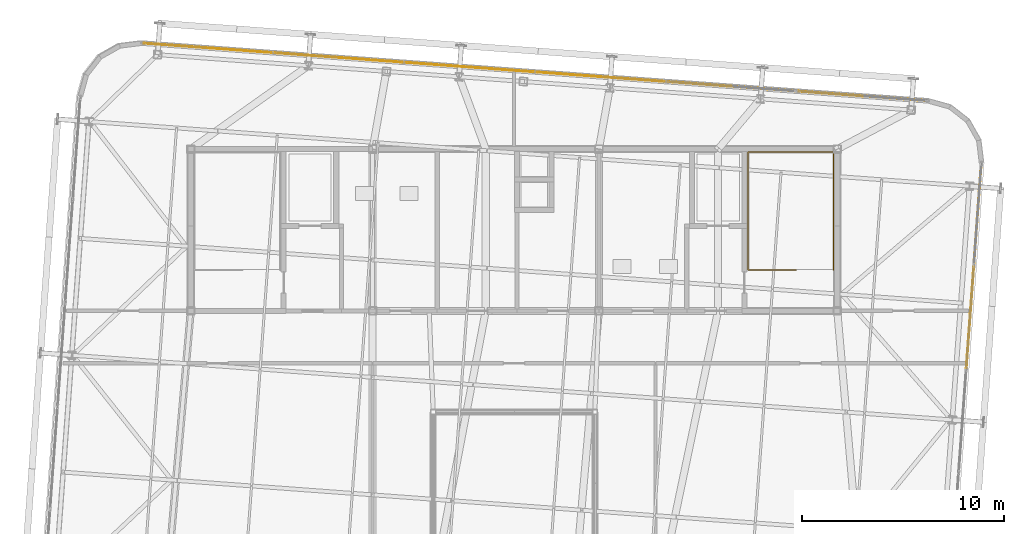
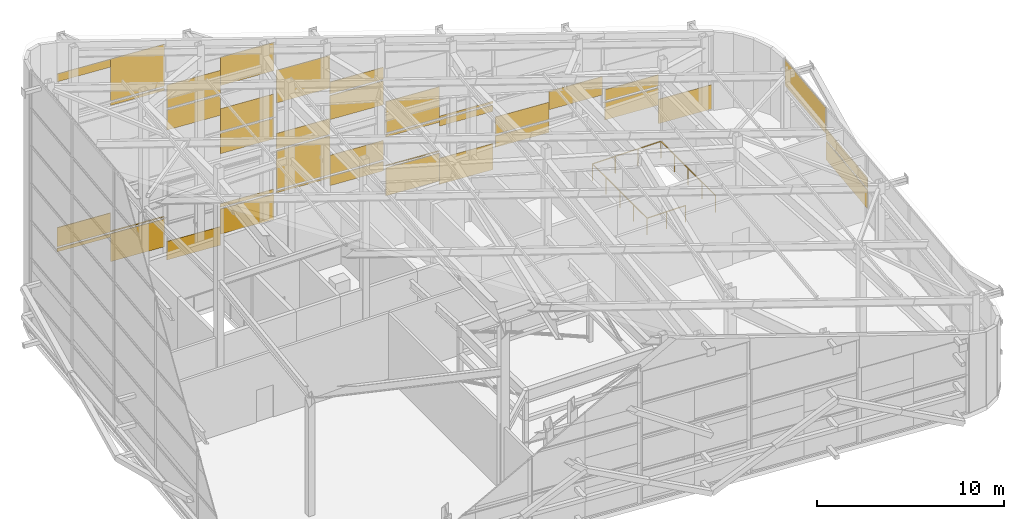
# One storey, part 56 of 56: 39 coverings, 1 railing.
"""IFC4 building model written with IfcOpenShell, lengths in metres."""

from ifc_helpers import new_model, si_unit, direction, frame, origin, origin_2d, place, context, subcontext, project, spatial, rectangle, extrude, source, transform, mapped, material, layer, layer_set, type_object, element, save


model = new_model("IFC4")

# Units and contexts
model_context = context("Model", 3, precision=1e-05, world=origin(), true_north=direction((0.0, 1.0)))
body_context = subcontext(model_context, "Body", "Model", "MODEL_VIEW")
ifc_project = project(units=[si_unit("LENGTHUNIT", "METRE"), si_unit("AREAUNIT", "SQUARE_METRE"), si_unit("VOLUMEUNIT", "CUBIC_METRE"), si_unit("PLANEANGLEUNIT", "RADIAN"), si_unit("MASSUNIT", "GRAM", prefix="KILO")], contexts=[model_context])

# Site, building, storey
site_placement = place(None, origin())
site = spatial("IfcSite", under=ifc_project, at=site_placement, CompositionType="ELEMENT")
building_placement = place(site_placement, origin())
building = spatial("IfcBuilding", under=site, at=building_placement, Name="Taldren Reach Tower", CompositionType="ELEMENT")
storey_placement = place(building_placement, frame((0.0, 0.0, 253.050048828125)))
storey = spatial("IfcBuildingStorey", under=building, at=storey_placement, Name="L77", CompositionType="ELEMENT", Elevation=253.050048828125)

# Railing
ifc_material_1 = material(Name="Steel Gr 350 (C350L0)", Category="steel")
ifc_layer_1 = layer(ifc_material_1, 0.050048828125)
ifc_layer_set_1 = layer_set([ifc_layer_1], Name="Steel Gr 350 (C350L0)")
railing_type = type_object("IfcRailingType", Name="RL-STAIR-GR", PredefinedType="GUARDRAIL", material=ifc_layer_set_1)
railing_placement = place(storey_placement, frame((48.969970703125, 26.010009765625, 0.0)))
element("IfcRailing", 1, at=railing_placement, inside=storey, type_object=railing_type, Name="Top-landing stairwell perimeter guardrail ST2-L77", PredefinedType="GUARDRAIL", context=body_context, shape_type="SweptSolid", body=[
    extrude(rectangle(XDim=0.047852, YDim=0.047852, at=origin_2d()), frame((0.0, 0.0, 1.09619140625), z_axis=(-1.0, 0.0, 0.0), x_axis=(0.0, -1.0, 0.0)), (0.0, 0.0, 1.0), 2.3798828125),
    extrude(rectangle(XDim=0.047852, YDim=0.047852, at=origin_2d()), frame((-2.3798828125, 0.0, 1.09619140625), z_axis=(0.0, 1.0, 0.0), x_axis=(-1.0, 0.0, 0.0)), (0.0, 0.0, 1.0), 5.840087890625),
    extrude(rectangle(XDim=0.047852, YDim=0.047852, at=origin_2d()), frame((-2.3798828125, 5.840087890625, 1.09619140625), z_axis=(1.0, 0.0, 0.0), x_axis=(0.0, 1.0, 0.0)), (0.0, 0.0, 1.0), 4.219970703125),
    extrude(rectangle(XDim=0.047852, YDim=0.047852, at=origin_2d()), frame((1.840087890625, 5.840087890625, 1.09619140625), z_axis=(0.0, -1.0, 0.0), x_axis=(1.0, 0.0, 0.0)), (0.0, 0.0, 1.0), 5.840087890625),
    extrude(rectangle(XDim=0.041992, YDim=0.041992, at=origin_2d()), origin(), (0.0, 0.0, 1.0), 1.072021484375),
    extrude(rectangle(XDim=0.041992, YDim=0.041992, at=origin_2d()), frame((-1.18994140625, 0.0, 0.0)), (0.0, 0.0, 1.0), 1.072021484375),
    extrude(rectangle(XDim=0.041992, YDim=0.041992, at=origin_2d()), frame((-2.3798828125, 0.0, 0.0)), (0.0, 0.0, 1.0), 1.072021484375),
    extrude(rectangle(XDim=0.041992, YDim=0.041992, at=origin_2d()), frame((-2.3798828125, 1.4599609375, 0.0)), (0.0, 0.0, 1.0), 1.072021484375),
    extrude(rectangle(XDim=0.041992, YDim=0.041992, at=origin_2d()), frame((-2.3798828125, 2.919921875, 0.0)), (0.0, 0.0, 1.0), 1.072021484375),
    extrude(rectangle(XDim=0.041992, YDim=0.041992, at=origin_2d()), frame((-2.3798828125, 4.380126953125, 0.0)), (0.0, 0.0, 1.0), 1.072021484375),
    extrude(rectangle(XDim=0.041992, YDim=0.041992, at=origin_2d()), frame((-2.3798828125, 5.840087890625, 0.0)), (0.0, 0.0, 1.0), 1.072021484375),
    extrude(rectangle(XDim=0.041992, YDim=0.041992, at=origin_2d()), frame((-0.97314453125, 5.840087890625, 0.0)), (0.0, 0.0, 1.0), 1.072021484375),
    extrude(rectangle(XDim=0.041992, YDim=0.041992, at=origin_2d()), frame((0.433349609375, 5.840087890625, 0.0)), (0.0, 0.0, 1.0), 1.072021484375),
    extrude(rectangle(XDim=0.041992, YDim=0.041992, at=origin_2d()), frame((1.840087890625, 5.840087890625, 0.0)), (0.0, 0.0, 1.0), 1.072021484375),
    extrude(rectangle(XDim=0.041992, YDim=0.041992, at=origin_2d()), frame((1.840087890625, 4.380126953125, 0.0)), (0.0, 0.0, 1.0), 1.072021484375),
    extrude(rectangle(XDim=0.041992, YDim=0.041992, at=origin_2d()), frame((1.840087890625, 2.919921875, 0.0)), (0.0, 0.0, 1.0), 1.072021484375),
    extrude(rectangle(XDim=0.041992, YDim=0.041992, at=origin_2d()), frame((1.840087890625, 1.4599609375, 0.0)), (0.0, 0.0, 1.0), 1.072021484375),
    extrude(rectangle(XDim=0.041992, YDim=0.041992, at=origin_2d()), frame((1.840087890625, 0.0, 0.0)), (0.0, 0.0, 1.0), 1.072021484375),
])

# Coverings
ifc_material_2 = material(Name="Pale Champagne Fluoropolymer Aluminium Spandrel Cladding", Category="aluminium")
ifc_layer_2 = layer(ifc_material_2, 0.0439453125)
ifc_layer_set_2 = layer_set([ifc_layer_2], Name="Pale Champagne Fluoropolymer Aluminium Spandrel Cladding")
covering_type = type_object("IfcCoveringType", Name="CV-CLAD-044", PredefinedType="CLADDING", material=ifc_layer_set_2)
shared_shape_1 = source(origin(), body_context, "Body", "SweptSolid", [
    extrude(rectangle(XDim=5.044921875, YDim=0.0439453125, at=origin_2d()), origin(), (0.0, 0.0, 1.0), 1.2021484375),
])
covering_1_placement = place(storey_placement, frame((57.574951171875, 23.668701171875, 0.890380859375), z_axis=(0.0, 0.0, 1.0), x_axis=(0.073238282558, 0.997314470951, 0.0)))
element("IfcCovering", 2, at=covering_1_placement, inside=storey, type_object=covering_type, Name="Diagrid closure cladding strip CW-8 panel 4.1 1", PredefinedType="CLADDING", context=body_context, shape_type="MappedRepresentation", body=[
    mapped(shared_shape_1, transform((0.0, 0.0, 0.0), scale=1.0)),
])
shared_shape_2 = source(origin(), body_context, "Body", "SweptSolid", [
    extrude(rectangle(XDim=5.007568359375, YDim=0.0439453125, at=origin_2d()), origin(), (0.0, 0.0, 1.0), 1.686279296875),
])
covering_2_placement = place(storey_placement, frame((57.948486328125, 28.756103515625, 2.55859375), z_axis=(0.0, 0.0, 1.0), x_axis=(0.073238282558, 0.997314470951, 0.0)))
element("IfcCovering", 3, at=covering_2_placement, inside=storey, type_object=covering_type, Name="Diagrid closure cladding strip CW-8 panel 5.1 1", PredefinedType="CLADDING", context=body_context, shape_type="MappedRepresentation", body=[
    mapped(shared_shape_2, transform((0.0, 0.0, 0.0), scale=1.0)),
])
shared_shape_3 = source(origin(), body_context, "Body", "SweptSolid", [
    extrude(rectangle(XDim=5.044921875, YDim=0.0439453125, at=origin_2d()), origin(), (0.0, 0.0, 1.0), 0.673828125),
])
covering_3_placement = place(storey_placement, frame((57.574951171875, 23.668701171875, 2.21240234375), z_axis=(0.0, 0.0, 1.0), x_axis=(0.073238282558, 0.997314470951, 0.0)))
element("IfcCovering", 4, at=covering_3_placement, inside=storey, type_object=covering_type, Name="Diagrid closure cladding strip CW-8 panel 4.1 1", PredefinedType="CLADDING", context=body_context, shape_type="MappedRepresentation", body=[
    mapped(shared_shape_3, transform((0.0, 0.0, 0.0), scale=1.0)),
])
shared_shape_4 = source(origin(), body_context, "Body", "SweptSolid", [
    extrude(rectangle(XDim=3.175048828125, YDim=0.0439453125, at=origin_2d()), origin(), (0.0, 0.0, 1.0), 0.21337890625),
])
covering_4_placement = place(storey_placement, frame((18.25732421875, 37.124267578125, 2.574951171875), z_axis=(0.0, 0.0, 1.0), x_axis=(0.997314454527, -0.073238506213, 0.0)))
element("IfcCovering", 5, at=covering_4_placement, inside=storey, type_object=covering_type, Name="Diagrid closure cladding strip CW-8 panel 1.1 1", PredefinedType="CLADDING", context=body_context, shape_type="MappedRepresentation", body=[
    mapped(shared_shape_4, transform((0.0, 0.0, 0.0), scale=1.0)),
])
shared_shape_5 = source(origin(), body_context, "Body", "SweptSolid", [
    extrude(rectangle(XDim=3.175048828125, YDim=0.0439453125, at=origin_2d()), origin(), (0.0, 0.0, 1.0), 1.81787109375),
])
covering_5_placement = place(storey_placement, frame((21.423828125, 36.891845703125, 0.970458984375), z_axis=(0.0, 0.0, 1.0), x_axis=(0.997314454527, -0.073238506213, 0.0)))
element("IfcCovering", 6, at=covering_5_placement, inside=storey, type_object=covering_type, Name="Diagrid closure cladding strip CW-8 panel 1.1 2", PredefinedType="CLADDING", context=body_context, shape_type="MappedRepresentation", body=[
    mapped(shared_shape_5, transform((0.0, 0.0, 0.0), scale=1.0)),
])
shared_shape_6 = source(origin(), body_context, "Body", "SweptSolid", [
    extrude(rectangle(XDim=3.175048828125, YDim=0.0439453125, at=origin_2d()), origin(), (0.0, 0.0, 1.0), 1.24169921875),
])
covering_6_placement = place(storey_placement, frame((18.25732421875, 37.124267578125, 2.908203125), z_axis=(0.0, 0.0, 1.0), x_axis=(0.997314454527, -0.073238506213, 0.0)))
element("IfcCovering", 7, at=covering_6_placement, inside=storey, type_object=covering_type, Name="Diagrid closure cladding strip CW-8 panel 1.1 1", PredefinedType="CLADDING", context=body_context, shape_type="MappedRepresentation", body=[
    mapped(shared_shape_6, transform((0.0, 0.0, 0.0), scale=1.0)),
])
shared_shape_7 = source(origin(), body_context, "Body", "SweptSolid", [
    extrude(rectangle(XDim=3.175048828125, YDim=0.0439453125, at=origin_2d()), origin(), (0.0, 0.0, 1.0), 0.04052734375),
])
covering_7_placement = place(storey_placement, frame((21.423828125, 36.891845703125, 2.908447265625), z_axis=(0.0, 0.0, 1.0), x_axis=(0.997314454527, -0.073238506213, 0.0)))
element("IfcCovering", 8, at=covering_7_placement, inside=storey, type_object=covering_type, Name="Diagrid closure cladding strip CW-8 panel 1.1 2", PredefinedType="CLADDING", context=body_context, shape_type="MappedRepresentation", body=[
    mapped(shared_shape_7, transform((0.0, 0.0, 0.0), scale=1.0)),
])
shared_shape_8 = source(origin(), body_context, "Body", "SweptSolid", [
    extrude(rectangle(XDim=3.175048828125, YDim=0.0439453125, at=origin_2d()), origin(), (0.0, 0.0, 1.0), 0.175537109375),
])
covering_8_placement = place(storey_placement, frame((21.423828125, 36.891845703125, 11.15771484375), z_axis=(0.0, 0.0, 1.0), x_axis=(0.997314454527, -0.073238506213, 0.0)))
element("IfcCovering", 9, at=covering_8_placement, inside=storey, type_object=covering_type, Name="Diagrid closure cladding strip CW-8 panel 1.1 1", PredefinedType="CLADDING", context=body_context, shape_type="MappedRepresentation", body=[
    mapped(shared_shape_8, transform((0.0, 0.0, 0.0), scale=1.0)),
])
shared_shape_9 = source(origin(), body_context, "Body", "SweptSolid", [
    extrude(rectangle(XDim=3.175048828125, YDim=0.0439453125, at=origin_2d()), origin(), (0.0, 0.0, 1.0), 0.51708984375),
])
covering_9_placement = place(storey_placement, frame((18.25732421875, 37.124267578125, 13.664306640625), z_axis=(0.0, 0.0, 1.0), x_axis=(0.997314454527, -0.073238506213, 0.0)))
element("IfcCovering", 10, at=covering_9_placement, inside=storey, type_object=covering_type, Name="Diagrid closure cladding strip CW-8 panel 1.1 1", PredefinedType="CLADDING", context=body_context, shape_type="MappedRepresentation", body=[
    mapped(shared_shape_9, transform((0.0, 0.0, 0.0), scale=1.0)),
])
shared_shape_10 = source(origin(), body_context, "Body", "SweptSolid", [
    extrude(rectangle(XDim=3.175048828125, YDim=0.0439453125, at=origin_2d()), origin(), (0.0, 0.0, 1.0), 2.728271484375),
])
covering_10_placement = place(storey_placement, frame((21.423828125, 36.891845703125, 11.453125), z_axis=(0.0, 0.0, 1.0), x_axis=(0.997314454527, -0.073238506213, 0.0)))
element("IfcCovering", 11, at=covering_10_placement, inside=storey, type_object=covering_type, Name="Diagrid closure cladding strip CW-8 panel 1.1 2", PredefinedType="CLADDING", context=body_context, shape_type="MappedRepresentation", body=[
    mapped(shared_shape_10, transform((0.0, 0.0, 0.0), scale=1.0)),
])
shared_shape_11 = source(origin(), body_context, "Body", "SweptSolid", [
    extrude(rectangle(XDim=3.175048828125, YDim=0.0439453125, at=origin_2d()), origin(), (0.0, 0.0, 1.0), 1.208740234375),
])
covering_11_placement = place(storey_placement, frame((24.73974609375, 36.648193359375, 0.06005859375), z_axis=(0.0, 0.0, 1.0), x_axis=(0.997314462779, -0.073238393838, 0.0)))
element("IfcCovering", 12, at=covering_11_placement, inside=storey, type_object=covering_type, Name="Diagrid closure cladding strip CW-8 panel 1.1 1", PredefinedType="CLADDING", context=body_context, shape_type="MappedRepresentation", body=[
    mapped(shared_shape_11, transform((0.0, 0.0, 0.0), scale=1.0)),
])
shared_shape_12 = source(origin(), body_context, "Body", "SweptSolid", [
    extrude(rectangle(XDim=3.175048828125, YDim=0.0439453125, at=origin_2d()), origin(), (0.0, 0.0, 1.0), 1.639892578125),
])
covering_12_placement = place(storey_placement, frame((27.90625, 36.415771484375, 0.77587890625), z_axis=(0.0, 0.0, 1.0), x_axis=(0.997314462779, -0.073238393838, 0.0)))
element("IfcCovering", 13, at=covering_12_placement, inside=storey, type_object=covering_type, Name="Diagrid closure cladding strip CW-8 panel 1.1 2", PredefinedType="CLADDING", context=body_context, shape_type="MappedRepresentation", body=[
    mapped(shared_shape_12, transform((0.0, 0.0, 0.0), scale=1.0)),
])
shared_shape_13 = source(origin(), body_context, "Body", "SweptSolid", [
    extrude(rectangle(XDim=3.175048828125, YDim=0.0439453125, at=origin_2d()), origin(), (0.0, 0.0, 1.0), 0.21875),
])
covering_13_placement = place(storey_placement, frame((27.90625, 36.415771484375, 2.53564453125), z_axis=(0.0, 0.0, 1.0), x_axis=(0.997314462779, -0.073238393838, 0.0)))
element("IfcCovering", 14, at=covering_13_placement, inside=storey, type_object=covering_type, Name="Diagrid closure cladding strip CW-8 panel 1.1 1", PredefinedType="CLADDING", context=body_context, shape_type="MappedRepresentation", body=[
    mapped(shared_shape_13, transform((0.0, 0.0, 0.0), scale=1.0)),
])
shared_shape_14 = source(origin(), body_context, "Body", "SweptSolid", [
    extrude(rectangle(XDim=3.175048828125, YDim=0.0439453125, at=origin_2d()), origin(), (0.0, 0.0, 1.0), 1.3408203125),
])
covering_14_placement = place(storey_placement, frame((27.90625, 36.415771484375, 6.026123046875), z_axis=(0.0, 0.0, 1.0), x_axis=(0.997314462779, -0.073238393838, 0.0)))
element("IfcCovering", 15, at=covering_14_placement, inside=storey, type_object=covering_type, Name="Diagrid closure cladding strip CW-8 panel 1.1 1", PredefinedType="CLADDING", context=body_context, shape_type="MappedRepresentation", body=[
    mapped(shared_shape_14, transform((0.0, 0.0, 0.0), scale=1.0)),
])
shared_shape_15 = source(origin(), body_context, "Body", "SweptSolid", [
    extrude(rectangle(XDim=3.175048828125, YDim=0.0439453125, at=origin_2d()), origin(), (0.0, 0.0, 1.0), 1.309814453125),
])
covering_15_placement = place(storey_placement, frame((24.73974609375, 36.648193359375, 8.53271484375), z_axis=(0.0, 0.0, 1.0), x_axis=(0.997314462779, -0.073238393838, 0.0)))
element("IfcCovering", 16, at=covering_15_placement, inside=storey, type_object=covering_type, Name="Diagrid closure cladding strip CW-8 panel 1.1 1", PredefinedType="CLADDING", context=body_context, shape_type="MappedRepresentation", body=[
    mapped(shared_shape_15, transform((0.0, 0.0, 0.0), scale=1.0)),
])
shared_shape_16 = source(origin(), body_context, "Body", "SweptSolid", [
    extrude(rectangle(XDim=3.175048828125, YDim=0.0439453125, at=origin_2d()), origin(), (0.0, 0.0, 1.0), 1.469970703125),
])
covering_16_placement = place(storey_placement, frame((27.90625, 36.415771484375, 7.48681640625), z_axis=(0.0, 0.0, 1.0), x_axis=(0.997314462779, -0.073238393838, 0.0)))
element("IfcCovering", 17, at=covering_16_placement, inside=storey, type_object=covering_type, Name="Diagrid closure cladding strip CW-8 panel 1.1 2", PredefinedType="CLADDING", context=body_context, shape_type="MappedRepresentation", body=[
    mapped(shared_shape_16, transform((0.0, 0.0, 0.0), scale=1.0)),
])
shared_shape_17 = source(origin(), body_context, "Body", "SweptSolid", [
    extrude(rectangle(XDim=3.175048828125, YDim=0.0439453125, at=origin_2d()), origin(), (0.0, 0.0, 1.0), 1.500732421875),
])
covering_17_placement = place(storey_placement, frame((24.73974609375, 36.648193359375, 9.96240234375), z_axis=(0.0, 0.0, 1.0), x_axis=(0.997314462779, -0.073238393838, 0.0)))
element("IfcCovering", 18, at=covering_17_placement, inside=storey, type_object=covering_type, Name="Diagrid closure cladding strip CW-8 panel 1.1 1", PredefinedType="CLADDING", context=body_context, shape_type="MappedRepresentation", body=[
    mapped(shared_shape_17, transform((0.0, 0.0, 0.0), scale=1.0)),
])
shared_shape_18 = source(origin(), body_context, "Body", "SweptSolid", [
    extrude(rectangle(XDim=3.175048828125, YDim=0.0439453125, at=origin_2d()), origin(), (0.0, 0.0, 1.0), 1.851806640625),
])
covering_18_placement = place(storey_placement, frame((27.90625, 36.415771484375, 10.46630859375), z_axis=(0.0, 0.0, 1.0), x_axis=(0.997314462779, -0.073238393838, 0.0)))
element("IfcCovering", 19, at=covering_18_placement, inside=storey, type_object=covering_type, Name="Diagrid closure cladding strip CW-8 panel 1.1 2", PredefinedType="CLADDING", context=body_context, shape_type="MappedRepresentation", body=[
    mapped(shared_shape_18, transform((0.0, 0.0, 0.0), scale=1.0)),
])
shared_shape_19 = source(origin(), body_context, "Body", "SweptSolid", [
    extrude(rectangle(XDim=3.175048828125, YDim=0.0439453125, at=origin_2d()), origin(), (0.0, 0.0, 1.0), 0.112548828125),
])
covering_19_placement = place(storey_placement, frame((31.222412109375, 36.172119140625, 2.4560546875), z_axis=(0.0, 0.0, 1.0), x_axis=(0.997314566898, -0.073236975997, 0.0)))
element("IfcCovering", 20, at=covering_19_placement, inside=storey, type_object=covering_type, Name="Diagrid closure cladding strip CW-8 panel 1.1 1", PredefinedType="CLADDING", context=body_context, shape_type="MappedRepresentation", body=[
    mapped(shared_shape_19, transform((0.0, 0.0, 0.0), scale=1.0)),
])
shared_shape_20 = source(origin(), body_context, "Body", "SweptSolid", [
    extrude(rectangle(XDim=3.175048828125, YDim=0.0439453125, at=origin_2d()), origin(), (0.0, 0.0, 1.0), 0.60791015625),
])
covering_20_placement = place(storey_placement, frame((34.388916015625, 35.939697265625, 1.960693359375), z_axis=(0.0, 0.0, 1.0), x_axis=(0.997314566898, -0.073236975997, 0.0)))
element("IfcCovering", 21, at=covering_20_placement, inside=storey, type_object=covering_type, Name="Diagrid closure cladding strip CW-8 panel 1.1 2", PredefinedType="CLADDING", context=body_context, shape_type="MappedRepresentation", body=[
    mapped(shared_shape_20, transform((0.0, 0.0, 0.0), scale=1.0)),
])
shared_shape_21 = source(origin(), body_context, "Body", "SweptSolid", [
    extrude(rectangle(XDim=3.175048828125, YDim=0.0439453125, at=origin_2d()), origin(), (0.0, 0.0, 1.0), 2.5087890625),
])
covering_21_placement = place(storey_placement, frame((31.222412109375, 36.172119140625, 2.688720703125), z_axis=(0.0, 0.0, 1.0), x_axis=(0.997314566898, -0.073236975997, 0.0)))
element("IfcCovering", 22, at=covering_21_placement, inside=storey, type_object=covering_type, Name="Diagrid closure cladding strip CW-8 panel 1.1 1", PredefinedType="CLADDING", context=body_context, shape_type="MappedRepresentation", body=[
    mapped(shared_shape_21, transform((0.0, 0.0, 0.0), scale=1.0)),
])
shared_shape_22 = source(origin(), body_context, "Body", "SweptSolid", [
    extrude(rectangle(XDim=3.175048828125, YDim=0.0439453125, at=origin_2d()), origin(), (0.0, 0.0, 1.0), 1.250732421875),
])
covering_22_placement = place(storey_placement, frame((34.388916015625, 35.939697265625, 2.6884765625), z_axis=(0.0, 0.0, 1.0), x_axis=(0.997314566898, -0.073236975997, 0.0)))
element("IfcCovering", 23, at=covering_22_placement, inside=storey, type_object=covering_type, Name="Diagrid closure cladding strip CW-8 panel 1.1 2", PredefinedType="CLADDING", context=body_context, shape_type="MappedRepresentation", body=[
    mapped(shared_shape_22, transform((0.0, 0.0, 0.0), scale=1.0)),
])
shared_shape_23 = source(origin(), body_context, "Body", "SweptSolid", [
    extrude(rectangle(XDim=3.175048828125, YDim=0.0439453125, at=origin_2d()), origin(), (0.0, 0.0, 1.0), 1.014404296875),
])
covering_23_placement = place(storey_placement, frame((31.222412109375, 36.172119140625, 5.3173828125), z_axis=(0.0, 0.0, 1.0), x_axis=(0.997314566898, -0.073236975997, 0.0)))
element("IfcCovering", 24, at=covering_23_placement, inside=storey, type_object=covering_type, Name="Diagrid closure cladding strip CW-8 panel 1.1 1", PredefinedType="CLADDING", context=body_context, shape_type="MappedRepresentation", body=[
    mapped(shared_shape_23, transform((0.0, 0.0, 0.0), scale=1.0)),
])
shared_shape_24 = source(origin(), body_context, "Body", "SweptSolid", [
    extrude(rectangle(XDim=3.175048828125, YDim=0.0439453125, at=origin_2d()), origin(), (0.0, 0.0, 1.0), 1.5595703125),
])
covering_24_placement = place(storey_placement, frame((34.388916015625, 35.939697265625, 6.2666015625), z_axis=(0.0, 0.0, 1.0), x_axis=(0.997314566898, -0.073236975997, 0.0)))
element("IfcCovering", 25, at=covering_24_placement, inside=storey, type_object=covering_type, Name="Diagrid closure cladding strip CW-8 panel 1.1 2", PredefinedType="CLADDING", context=body_context, shape_type="MappedRepresentation", body=[
    mapped(shared_shape_24, transform((0.0, 0.0, 0.0), scale=1.0)),
])
shared_shape_25 = source(origin(), body_context, "Body", "SweptSolid", [
    extrude(rectangle(XDim=3.175048828125, YDim=0.0439453125, at=origin_2d()), origin(), (0.0, 0.0, 1.0), 2.13671875),
])
covering_25_placement = place(storey_placement, frame((31.222412109375, 36.172119140625, 8.318115234375), z_axis=(0.0, 0.0, 1.0), x_axis=(0.997314566898, -0.073236975997, 0.0)))
element("IfcCovering", 26, at=covering_25_placement, inside=storey, type_object=covering_type, Name="Diagrid closure cladding strip CW-8 panel 1.1 1", PredefinedType="CLADDING", context=body_context, shape_type="MappedRepresentation", body=[
    mapped(shared_shape_25, transform((0.0, 0.0, 0.0), scale=1.0)),
])
shared_shape_26 = source(origin(), body_context, "Body", "SweptSolid", [
    extrude(rectangle(XDim=3.175048828125, YDim=0.0439453125, at=origin_2d()), origin(), (0.0, 0.0, 1.0), 0.768798828125),
])
covering_26_placement = place(storey_placement, frame((34.388916015625, 35.939697265625, 7.9462890625), z_axis=(0.0, 0.0, 1.0), x_axis=(0.997314566898, -0.073236975997, 0.0)))
element("IfcCovering", 27, at=covering_26_placement, inside=storey, type_object=covering_type, Name="Diagrid closure cladding strip CW-8 panel 1.1 2", PredefinedType="CLADDING", context=body_context, shape_type="MappedRepresentation", body=[
    mapped(shared_shape_26, transform((0.0, 0.0, 0.0), scale=1.0)),
])
shared_shape_27 = source(origin(), body_context, "Body", "SweptSolid", [
    extrude(rectangle(XDim=3.175048828125, YDim=0.0439453125, at=origin_2d()), origin(), (0.0, 0.0, 1.0), 1.822265625),
])
covering_27_placement = place(storey_placement, frame((37.704833984375, 35.6962890625, 0.280517578125), z_axis=(0.0, 0.0, 1.0), x_axis=(0.997314454527, -0.073238506213, 0.0)))
element("IfcCovering", 28, at=covering_27_placement, inside=storey, type_object=covering_type, Name="Diagrid closure cladding strip CW-8 panel 1.1 1", PredefinedType="CLADDING", context=body_context, shape_type="MappedRepresentation", body=[
    mapped(shared_shape_27, transform((0.0, 0.0, 0.0), scale=1.0)),
])
shared_shape_28 = source(origin(), body_context, "Body", "SweptSolid", [
    extrude(rectangle(XDim=3.175048828125, YDim=0.0439453125, at=origin_2d()), origin(), (0.0, 0.0, 1.0), 1.703857421875),
])
covering_28_placement = place(storey_placement, frame((40.871337890625, 35.463623046875, 0.06005859375), z_axis=(0.0, 0.0, 1.0), x_axis=(0.997314454527, -0.073238506213, 0.0)))
element("IfcCovering", 29, at=covering_28_placement, inside=storey, type_object=covering_type, Name="Diagrid closure cladding strip CW-8 panel 1.1 2", PredefinedType="CLADDING", context=body_context, shape_type="MappedRepresentation", body=[
    mapped(shared_shape_28, transform((0.0, 0.0, 0.0), scale=1.0)),
])
shared_shape_29 = source(origin(), body_context, "Body", "SweptSolid", [
    extrude(rectangle(XDim=3.175048828125, YDim=0.0439453125, at=origin_2d()), origin(), (0.0, 0.0, 1.0), 0.036376953125),
])
covering_29_placement = place(storey_placement, frame((37.704833984375, 35.6962890625, 2.22265625), z_axis=(0.0, 0.0, 1.0), x_axis=(0.997314454527, -0.073238506213, 0.0)))
element("IfcCovering", 30, at=covering_29_placement, inside=storey, type_object=covering_type, Name="Diagrid closure cladding strip CW-8 panel 1.1 1", PredefinedType="CLADDING", context=body_context, shape_type="MappedRepresentation", body=[
    mapped(shared_shape_29, transform((0.0, 0.0, 0.0), scale=1.0)),
])
shared_shape_30 = source(origin(), body_context, "Body", "SweptSolid", [
    extrude(rectangle(XDim=3.175048828125, YDim=0.0439453125, at=origin_2d()), origin(), (0.0, 0.0, 1.0), 0.147705078125),
])
covering_30_placement = place(storey_placement, frame((37.704833984375, 35.6962890625, 4.1181640625), z_axis=(0.0, 0.0, 1.0), x_axis=(0.997314454527, -0.073238506213, 0.0)))
element("IfcCovering", 31, at=covering_30_placement, inside=storey, type_object=covering_type, Name="Diagrid closure cladding strip CW-8 panel 1.1 2", PredefinedType="CLADDING", context=body_context, shape_type="MappedRepresentation", body=[
    mapped(shared_shape_30, transform((0.0, 0.0, 0.0), scale=1.0)),
])
shared_shape_31 = source(origin(), body_context, "Body", "SweptSolid", [
    extrude(rectangle(XDim=3.175048828125, YDim=0.0439453125, at=origin_2d()), origin(), (0.0, 0.0, 1.0), 0.4072265625),
])
covering_31_placement = place(storey_placement, frame((40.871337890625, 35.463623046875, 3.8583984375), z_axis=(0.0, 0.0, 1.0), x_axis=(0.997314454527, -0.073238506213, 0.0)))
element("IfcCovering", 32, at=covering_31_placement, inside=storey, type_object=covering_type, Name="Diagrid closure cladding strip CW-8 panel 1.1 3", PredefinedType="CLADDING", context=body_context, shape_type="MappedRepresentation", body=[
    mapped(shared_shape_31, transform((0.0, 0.0, 0.0), scale=1.0)),
])
shared_shape_32 = source(origin(), body_context, "Body", "SweptSolid", [
    extrude(rectangle(XDim=3.175048828125, YDim=0.0439453125, at=origin_2d()), origin(), (0.0, 0.0, 1.0), 2.04296875),
])
covering_32_placement = place(storey_placement, frame((37.704833984375, 35.6962890625, 4.3857421875), z_axis=(0.0, 0.0, 1.0), x_axis=(0.997314454527, -0.073238506213, 0.0)))
element("IfcCovering", 33, at=covering_32_placement, inside=storey, type_object=covering_type, Name="Diagrid closure cladding strip CW-8 panel 1.1 1", PredefinedType="CLADDING", context=body_context, shape_type="MappedRepresentation", body=[
    mapped(shared_shape_32, transform((0.0, 0.0, 0.0), scale=1.0)),
])
shared_shape_33 = source(origin(), body_context, "Body", "SweptSolid", [
    extrude(rectangle(XDim=3.175048828125, YDim=0.0439453125, at=origin_2d()), origin(), (0.0, 0.0, 1.0), 0.12939453125),
])
covering_33_placement = place(storey_placement, frame((40.871337890625, 35.463623046875, 4.3857421875), z_axis=(0.0, 0.0, 1.0), x_axis=(0.997314454527, -0.073238506213, 0.0)))
element("IfcCovering", 34, at=covering_33_placement, inside=storey, type_object=covering_type, Name="Diagrid closure cladding strip CW-8 panel 1.1 2", PredefinedType="CLADDING", context=body_context, shape_type="MappedRepresentation", body=[
    mapped(shared_shape_33, transform((0.0, 0.0, 0.0), scale=1.0)),
])
shared_shape_34 = source(origin(), body_context, "Body", "SweptSolid", [
    extrude(rectangle(XDim=3.175048828125, YDim=0.0439453125, at=origin_2d()), origin(), (0.0, 0.0, 1.0), 0.737060546875),
])
covering_34_placement = place(storey_placement, frame((44.1875, 35.22021484375, 1.4658203125), z_axis=(0.0, 0.0, 1.0), x_axis=(0.997314462779, -0.073238393838, 0.0)))
element("IfcCovering", 35, at=covering_34_placement, inside=storey, type_object=covering_type, Name="Diagrid closure cladding strip CW-8 panel 1.1 1", PredefinedType="CLADDING", context=body_context, shape_type="MappedRepresentation", body=[
    mapped(shared_shape_34, transform((0.0, 0.0, 0.0), scale=1.0)),
])
shared_shape_35 = source(origin(), body_context, "Body", "SweptSolid", [
    extrude(rectangle(XDim=3.175048828125, YDim=0.0439453125, at=origin_2d()), origin(), (0.0, 0.0, 1.0), 1.121337890625),
])
covering_35_placement = place(storey_placement, frame((44.1875, 35.22021484375, 2.32275390625), z_axis=(0.0, 0.0, 1.0), x_axis=(0.997314462779, -0.073238393838, 0.0)))
element("IfcCovering", 36, at=covering_35_placement, inside=storey, type_object=covering_type, Name="Diagrid closure cladding strip CW-8 panel 1.1 1", PredefinedType="CLADDING", context=body_context, shape_type="MappedRepresentation", body=[
    mapped(shared_shape_35, transform((0.0, 0.0, 0.0), scale=1.0)),
])
shared_shape_36 = source(origin(), body_context, "Body", "SweptSolid", [
    extrude(rectangle(XDim=3.175048828125, YDim=0.0439453125, at=origin_2d()), origin(), (0.0, 0.0, 1.0), 1.19873046875),
])
covering_36_placement = place(storey_placement, frame((47.35400390625, 34.987548828125, 2.951171875), z_axis=(0.0, 0.0, 1.0), x_axis=(0.997314462779, -0.073238393838, 0.0)))
element("IfcCovering", 37, at=covering_36_placement, inside=storey, type_object=covering_type, Name="Diagrid closure cladding strip CW-8 panel 1.1 2", PredefinedType="CLADDING", context=body_context, shape_type="MappedRepresentation", body=[
    mapped(shared_shape_36, transform((0.0, 0.0, 0.0), scale=1.0)),
])
shared_shape_37 = source(origin(), body_context, "Body", "SweptSolid", [
    extrude(rectangle(XDim=3.175048828125, YDim=0.0439453125, at=origin_2d()), origin(), (0.0, 0.0, 1.0), 1.13134765625),
])
covering_37_placement = place(storey_placement, frame((50.669921875, 34.744140625, 1.27099609375), z_axis=(0.0, 0.0, 1.0), x_axis=(0.997314454527, -0.073238506213, 0.0)))
element("IfcCovering", 38, at=covering_37_placement, inside=storey, type_object=covering_type, Name="Diagrid closure cladding strip CW-8 panel 1.1 1", PredefinedType="CLADDING", context=body_context, shape_type="MappedRepresentation", body=[
    mapped(shared_shape_37, transform((0.0, 0.0, 0.0), scale=1.0)),
])
shared_shape_38 = source(origin(), body_context, "Body", "SweptSolid", [
    extrude(rectangle(XDim=3.175048828125, YDim=0.0439453125, at=origin_2d()), origin(), (0.0, 0.0, 1.0), 1.585205078125),
])
covering_38_placement = place(storey_placement, frame((53.83642578125, 34.511474609375, 0.06005859375), z_axis=(0.0, 0.0, 1.0), x_axis=(0.997314454527, -0.073238506213, 0.0)))
element("IfcCovering", 39, at=covering_38_placement, inside=storey, type_object=covering_type, Name="Diagrid closure cladding strip CW-8 panel 1.1 2", PredefinedType="CLADDING", context=body_context, shape_type="MappedRepresentation", body=[
    mapped(shared_shape_38, transform((0.0, 0.0, 0.0), scale=1.0)),
])
shared_shape_39 = source(origin(), body_context, "Body", "SweptSolid", [
    extrude(rectangle(XDim=3.175048828125, YDim=0.0439453125, at=origin_2d()), origin(), (0.0, 0.0, 1.0), 0.727294921875),
])
covering_39_placement = place(storey_placement, frame((50.669921875, 34.744140625, 2.5224609375), z_axis=(0.0, 0.0, 1.0), x_axis=(0.997314454527, -0.073238506213, 0.0)))
element("IfcCovering", 40, at=covering_39_placement, inside=storey, type_object=covering_type, Name="Diagrid closure cladding strip CW-8 panel 1.1 1", PredefinedType="CLADDING", context=body_context, shape_type="MappedRepresentation", body=[
    mapped(shared_shape_39, transform((0.0, 0.0, 0.0), scale=1.0)),
])

save(model, "model.ifc")
